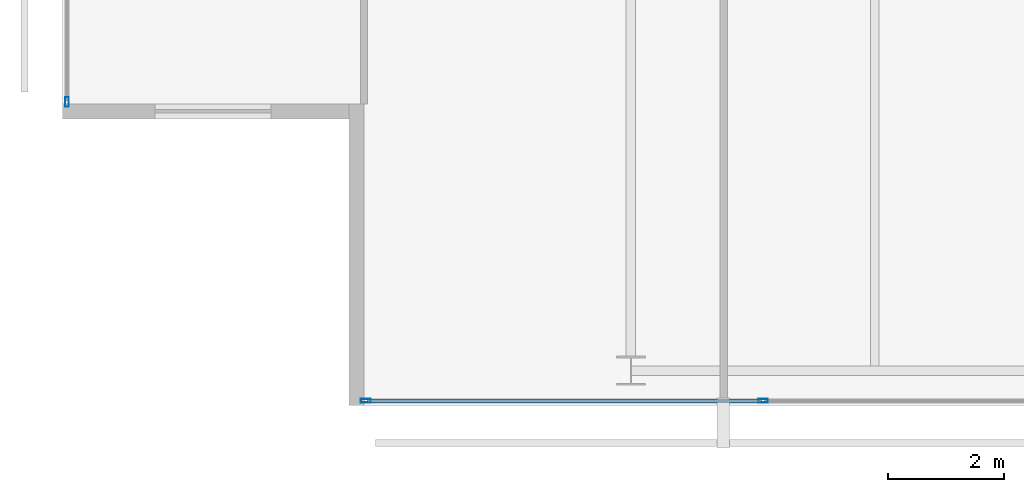
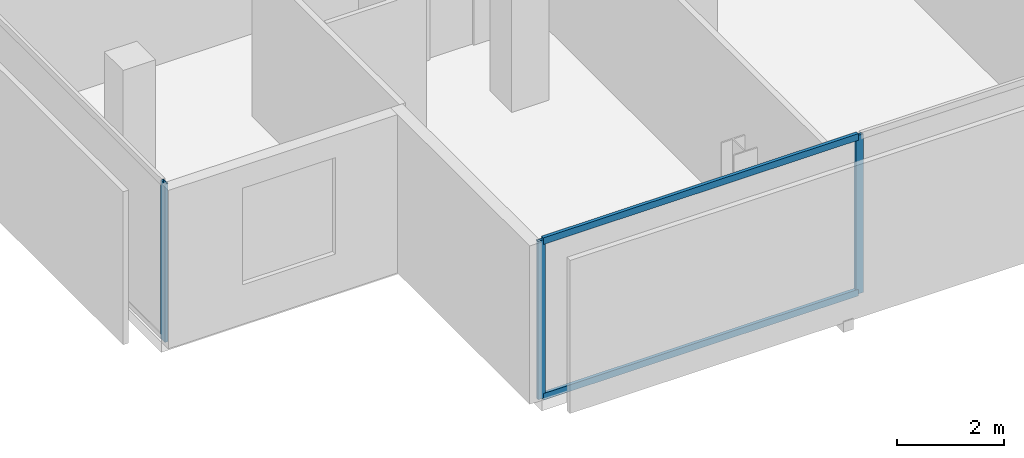
# One storey, part 2 of 26: 5 members, 2 elements without a shape of their own.
"""IFC4 building model written with IfcOpenShell, lengths in metres."""

import ifcopenshell
import ifcopenshell.guid

model = None  # the IFC model being written
_history = None  # IfcOwnerHistory: only IFC2X3 demands one
_inside = {}  # id of a spatial element -> (the spatial element, [elements in it])
_under = {}  # id of a project, library or spatial element -> (it, [spatial elements below it])
_declared = {}  # id of a project -> (the project, [libraries it declares])
_typed = {}  # id of a type object -> (the type object, [elements of that type])
_made_of = {}  # id of a material, layer set ... -> (it, [elements and type objects made of it])


def new_model(schema):
    """Start an empty IFC model of exactly this schema.

    Asked for "IFC4X3", IfcOpenShell would pick the latest addendum, in which some entities
    have other attributes; the version numbers below select the first issue.
    IFC2X3 requires an IfcOwnerHistory on every rooted entity: one is made here for all.
    """
    global model, _history
    if schema == "IFC4X3":
        model = ifcopenshell.file(schema_version=(4, 3, 0, 0))
    else:
        model = ifcopenshell.file(schema=schema)
    _inside.clear()
    _under.clear()
    _declared.clear()
    _typed.clear()
    _made_of.clear()
    _history = None
    if model.schema == "IFC2X3":
        org = make("IfcOrganization", Name="unknown")
        user = make(
            "IfcPersonAndOrganization",
            ThePerson=make("IfcPerson", FamilyName="unknown"),
            TheOrganization=org,
        )
        app = make(
            "IfcApplication",
            ApplicationDeveloper=org,
            Version="unknown",
            ApplicationFullName="unknown",
            ApplicationIdentifier="unknown",
        )
        _history = make(
            "IfcOwnerHistory",
            OwningUser=user,
            OwningApplication=app,
            ChangeAction="ADDED",
            CreationDate=0,
        )
    return model


def make(cls, **values):
    """One entity of the class cls with the attributes given. An attribute that is None is left unset."""
    return model.create_entity(
        cls, **{name: value for name, value in values.items() if value is not None}
    )


def rooted(cls, **values):
    """An entity with a GlobalId (a new one), such as an element, a storey or a relation."""
    return make(cls, GlobalId=ifcopenshell.guid.new(), OwnerHistory=_history, **values)


def si_unit(unit_type, name, prefix=None):
    """IfcSIUnit, for example si_unit("LENGTHUNIT", "METRE", prefix="MILLI")."""
    return make("IfcSIUnit", UnitType=unit_type, Prefix=prefix, Name=name)


def assignment(units):
    """IfcUnitAssignment: the units of a project."""
    return None if units is None else make("IfcUnitAssignment", Units=units)


def point(xyz):
    """IfcCartesianPoint."""
    return None if xyz is None else make("IfcCartesianPoint", Coordinates=xyz)


def direction(xyz):
    """IfcDirection."""
    return None if xyz is None else make("IfcDirection", DirectionRatios=xyz)


def frame(location, z_axis=None, x_axis=None):
    """IfcAxis2Placement3D, a coordinate frame: its origin and axes. An axis left out is left unset."""
    return make(
        "IfcAxis2Placement3D",
        Location=point(location),
        Axis=direction(z_axis),
        RefDirection=direction(x_axis),
    )


def frame_2d(location, x_axis=None):
    """IfcAxis2Placement2D, a coordinate frame in the plane: its origin and x axis."""
    return make(
        "IfcAxis2Placement2D", Location=point(location), RefDirection=direction(x_axis)
    )


def origin():
    """The frame at (0, 0, 0) with its axes left unset."""
    return frame((0.0, 0.0, 0.0))


def origin_2d():
    """The frame at (0, 0) in the plane with its x axis left unset."""
    return frame_2d((0.0, 0.0))


def place(relative_to, where):
    """IfcLocalPlacement: puts the frame where relative to a parent placement (None: the world)."""
    return make(
        "IfcLocalPlacement", PlacementRelTo=relative_to, RelativePlacement=where
    )


def context(
    kind, dimensions, precision=None, world=None, true_north=None, identifier=None
):
    """IfcGeometricRepresentationContext, for example the 3D "Model" context."""
    return make(
        "IfcGeometricRepresentationContext",
        ContextIdentifier=identifier,
        ContextType=kind,
        CoordinateSpaceDimension=dimensions,
        Precision=precision,
        WorldCoordinateSystem=world,
        TrueNorth=true_north,
    )


def subcontext(parent, identifier, kind, view, scale=None):
    """IfcGeometricRepresentationSubContext, for example "Body" below "Model"."""
    return make(
        "IfcGeometricRepresentationSubContext",
        ContextIdentifier=identifier,
        ContextType=kind,
        ParentContext=parent,
        TargetScale=scale,
        TargetView=view,
    )


def project(units=None, contexts=None):
    """IfcProject with its units and contexts."""
    return rooted(
        "IfcProject",
        Name="project",
        RepresentationContexts=contexts,
        UnitsInContext=assignment(units),
    )


def spatial(cls, under=None, at=None, **own):
    """A site, building, storey or space (cls), placed at a placement, below another one or the project."""
    s = rooted(cls, ObjectPlacement=at, **own)
    if under is not None:
        _under.setdefault(under.id(), (under, []))[1].append(s)
    return s


def profile(cls, at=None, kind="AREA", **sizes):
    """A parametric profile (cls). Its sizes go by their IFC names, for example OverallWidth=200.0."""
    return make(cls, ProfileType=kind, Position=at, **sizes)


def hollow_rectangle(**sizes):
    """IfcRectangleHollowProfileDef."""
    return profile("IfcRectangleHollowProfileDef", **sizes)


def extrude(swept, where, along, depth):
    """IfcExtrudedAreaSolid: the profile swept, set in the frame where, extruded along a direction by depth."""
    return make(
        "IfcExtrudedAreaSolid",
        SweptArea=swept,
        Position=where,
        ExtrudedDirection=direction(along),
        Depth=depth,
    )


def shape(context_of_items, identifier, shape_type, items):
    """IfcShapeRepresentation: the items that make up one representation, for example the "Body"."""
    return make(
        "IfcShapeRepresentation",
        ContextOfItems=context_of_items,
        RepresentationIdentifier=identifier,
        RepresentationType=shape_type,
        Items=items,
    )


def material(Name=None, Category=None):
    """IfcMaterial."""
    return make("IfcMaterial", Name=Name, Category=Category)


def layer(
    of_material, thickness, ventilated=None, Name=None, Category=None, Priority=None
):
    """IfcMaterialLayer: one layer of a wall or slab, of a material (None: an air gap)."""
    return make(
        "IfcMaterialLayer",
        Material=of_material,
        LayerThickness=thickness,
        IsVentilated=ventilated,
        Name=Name,
        Category=Category,
        Priority=Priority,
    )


def layer_set(layers, Name=None):
    """IfcMaterialLayerSet."""
    return make("IfcMaterialLayerSet", MaterialLayers=layers, LayerSetName=Name)


def material_profile(
    of_material, cross_section, Name=None, Category=None, Priority=None
):
    """IfcMaterialProfile: a cross section and its material."""
    return make(
        "IfcMaterialProfile",
        Name=Name,
        Material=of_material,
        Profile=cross_section,
        Priority=Priority,
        Category=Category,
    )


def profile_set(profiles, Name=None, composite=None):
    """IfcMaterialProfileSet."""
    return make(
        "IfcMaterialProfileSet",
        Name=Name,
        MaterialProfiles=profiles,
        CompositeProfile=composite,
    )


def made_of(thing, what):
    """Note that an element or type object is made of a material, layer set ...; save() writes the relation."""
    if what is not None:
        _made_of.setdefault(what.id(), (what, []))[1].append(thing)
    return thing


def type_object(cls, material=None, **own):
    """A type object (cls), such as IfcWallType, which elements share."""
    return made_of(rooted(cls, **own), material)


def element(
    cls,
    number,
    at=None,
    inside=None,
    cuts=None,
    type_object=None,
    material=None,
    context=None,
    identifier="Body",
    shape_type=None,
    held_by="IfcProductDefinitionShape",
    body=None,
    shapes=None,
    **own,
):
    """One element of the class cls, such as IfcWall. Its Tag is "e" and its number.

    at: its placement. inside: the storey or other place that contains it. cuts: it is an
    opening in that element (IfcRelVoidsElement). A single representation is given by context,
    identifier, shape_type and body (its items); several are given by shapes. held_by: the class
    of the entity that holds the representations. save() writes the other relations.
    """
    e = rooted(cls, Tag="e%d" % number, ObjectPlacement=at, **own)
    if body is not None:
        shapes = [shape(context, identifier, shape_type, body)]
    if shapes is not None:
        e.Representation = make(held_by, Representations=shapes)
    if inside is not None:
        _inside.setdefault(inside.id(), (inside, []))[1].append(e)
    if cuts is not None:
        rooted(
            "IfcRelVoidsElement", RelatingBuildingElement=cuts, RelatedOpeningElement=e
        )
    if type_object is not None:
        _typed.setdefault(type_object.id(), (type_object, []))[1].append(e)
    return made_of(e, material)


def aggregate(whole, parts):
    """IfcRelAggregates: a whole, such as a stair, and the parts it consists of."""
    return rooted("IfcRelAggregates", RelatingObject=whole, RelatedObjects=parts)


def save(model, path):
    """Write the relations noted so far, then the file.

    IfcRelAggregates (storeys below a building ...), IfcRelContainedInSpatialStructure (elements
    in a storey), IfcRelDefinesByType, IfcRelAssociatesMaterial and IfcRelDeclares: one each for
    every whole, place, type object, material and project.
    """
    for whole, parts in _under.values():
        aggregate(whole, parts)
    for where, things in _inside.values():
        rooted(
            "IfcRelContainedInSpatialStructure",
            RelatedElements=things,
            RelatingStructure=where,
        )
    for kind, things in _typed.values():
        rooted("IfcRelDefinesByType", RelatedObjects=things, RelatingType=kind)
    for what, things in _made_of.values():
        rooted("IfcRelAssociatesMaterial", RelatedObjects=things, RelatingMaterial=what)
    for by, libraries in _declared.values():
        rooted("IfcRelDeclares", RelatingContext=by, RelatedDefinitions=libraries)
    model.write(path)


model = new_model("IFC4")

# Units and contexts
model_context = context("Model", 3, precision=1e-05, world=origin(), true_north=direction((0.0, 1.0)))
body_context = subcontext(model_context, "Body", "Model", "MODEL_VIEW")
ifc_project = project(units=[si_unit("LENGTHUNIT", "METRE"), si_unit("AREAUNIT", "SQUARE_METRE"), si_unit("VOLUMEUNIT", "CUBIC_METRE"), si_unit("PLANEANGLEUNIT", "RADIAN"), si_unit("MASSUNIT", "GRAM", prefix="KILO")], contexts=[model_context])

# Site, building, storey
site_placement = place(None, origin())
site = spatial("IfcSite", under=ifc_project, at=site_placement, CompositionType="ELEMENT")
building_placement = place(site_placement, origin())
building = spatial("IfcBuilding", under=site, at=building_placement, Name="Maruvema Waterfront Hotel and Observation Tower", CompositionType="ELEMENT")
storey_placement = place(building_placement, frame((0.0, 0.0, 293.300048828125)))
storey = spatial("IfcBuildingStorey", under=building, at=storey_placement, Name="L72", CompositionType="ELEMENT", Elevation=293.300048828125)

# Curtain wall, members
ifc_material_1 = material(Name="Anodised bronze aluminium and solar-control low-E IGU", Category="aluminium")
ifc_layer = layer(ifc_material_1, 0.159912109375, Name="Zone 3 Champagne Inner Thermal Curtain Wall System CW-04")
ifc_layer_set = layer_set([ifc_layer], Name="Anodised bronze aluminium and solar-control low-E IGU")
curtain_wall_type = type_object("IfcCurtainWallType", Name="Zone 3 Champagne Inner Thermal Curtain Wall System CW-04", PredefinedType="USERDEFINED", material=ifc_layer_set)
curtain_wall_1_placement = place(storey_placement, origin())
curtain_wall_1 = element("IfcCurtainWall", 1, at=curtain_wall_1_placement, inside=storey, type_object=curtain_wall_type, Name="L72 Curtain Wall CW-L72-S", ObjectType="UNITISED CURTAIN WALL", PredefinedType="USERDEFINED")
ifc_material_2 = material(Name="Anodised architectural bronze aluminium", Category="aluminium")
ifc_material_profile_1 = material_profile(ifc_material_2, hollow_rectangle(XDim=0.070068359375, YDim=0.14990234375, WallThickness=0.00390625, at=origin_2d()), Name="ALU-T70x150")
ifc_profile_set_1 = profile_set([ifc_material_profile_1], Name="Anodised architectural bronze aluminium")
member_type_1 = type_object("IfcMemberType", Name="Curtain Wall Horizontal Transom ALU-T70x150", PredefinedType="USERDEFINED", material=ifc_profile_set_1)
member_1_placement = place(storey_placement, frame((20.659912109375, 9.280029296875, 0.030029296875), z_axis=(1.0, 0.0, 0.0), x_axis=(0.0, 1.0, 0.0)))
member_1 = element("IfcMember", 2, at=member_1_placement, type_object=member_type_1, Name="CW-04 transom 1.1", ObjectType="TRANSOM", PredefinedType="USERDEFINED", context=body_context, shape_type="SweptSolid", body=[
    extrude(hollow_rectangle(XDim=0.070068359375, YDim=0.14990234375, WallThickness=0.00390625, at=origin_2d()), origin(), (0.0, 0.0, 1.0), 6.7900390625),
])
member_2_placement = place(storey_placement, frame((20.659912109375, 9.280029296875, 3.579833984375), z_axis=(1.0, 0.0, 0.0), x_axis=(0.0, 1.0, 0.0)))
member_2 = element("IfcMember", 3, at=member_2_placement, type_object=member_type_1, Name="CW-04 transom 1.2", ObjectType="TRANSOM", PredefinedType="USERDEFINED", context=body_context, shape_type="SweptSolid", body=[
    extrude(hollow_rectangle(XDim=0.070068359375, YDim=0.14990234375, WallThickness=0.00390625, at=origin_2d()), origin(), (0.0, 0.0, 1.0), 6.7900390625),
])
ifc_material_3 = material(Name="Anodised architectural bronze aluminium", Category="aluminium")
ifc_material_profile_2 = material_profile(ifc_material_3, hollow_rectangle(XDim=0.06494140625, YDim=0.1650390625, WallThickness=0.00390625, at=origin_2d()), Name="ALU-M65x165")
ifc_profile_set_2 = profile_set([ifc_material_profile_2], Name="Anodised architectural bronze aluminium")
member_type_2 = type_object("IfcMemberType", Name="Curtain Wall Primary Mullion ALU-M65x165", PredefinedType="MULLION", material=ifc_profile_set_2)
member_3_placement = place(storey_placement, frame((20.6298828125, 9.280029296875, 0.0), z_axis=(0.0, 0.0, 1.0), x_axis=(0.0, 1.0, 0.0)))
member_3 = element("IfcMember", 4, at=member_3_placement, type_object=member_type_2, Name="CW-04 mullion 1", PredefinedType="MULLION", context=body_context, shape_type="SweptSolid", body=[
    extrude(hollow_rectangle(XDim=0.06494140625, YDim=0.1650390625, WallThickness=0.00390625, at=origin_2d()), origin(), (0.0, 0.0, 1.0), 3.60986328125),
])
member_4_placement = place(storey_placement, frame((27.47998046875, 9.280029296875, 0.0), z_axis=(0.0, 0.0, 1.0), x_axis=(0.0, 1.0, 0.0)))
member_4 = element("IfcMember", 5, at=member_4_placement, type_object=member_type_2, Name="CW-04 mullion 2", PredefinedType="MULLION", context=body_context, shape_type="SweptSolid", body=[
    extrude(hollow_rectangle(XDim=0.06494140625, YDim=0.1650390625, WallThickness=0.00390625, at=origin_2d()), origin(), (0.0, 0.0, 1.0), 3.60986328125),
])
aggregate(curtain_wall_1, [member_3, member_4, member_1, member_2])

# Curtain wall, member
curtain_wall_2_placement = place(storey_placement, origin())
curtain_wall_2 = element("IfcCurtainWall", 6, at=curtain_wall_2_placement, inside=storey, type_object=curtain_wall_type, Name="L72 Curtain Wall CW-L72-W", ObjectType="UNITISED CURTAIN WALL", PredefinedType="USERDEFINED")
member_5_placement = place(storey_placement, frame((15.47998046875, 14.429931640625, 0.0), z_axis=(0.0, 0.0, 1.0), x_axis=(1.0, 0.0, 0.0)))
member_5 = element("IfcMember", 7, at=member_5_placement, type_object=member_type_2, Name="CW-04 mullion 6", PredefinedType="MULLION", context=body_context, shape_type="SweptSolid", body=[
    extrude(hollow_rectangle(XDim=0.06494140625, YDim=0.1650390625, WallThickness=0.00390625, at=origin_2d()), origin(), (0.0, 0.0, 1.0), 3.60986328125),
])
aggregate(curtain_wall_2, [member_5])

save(model, "model.ifc")
